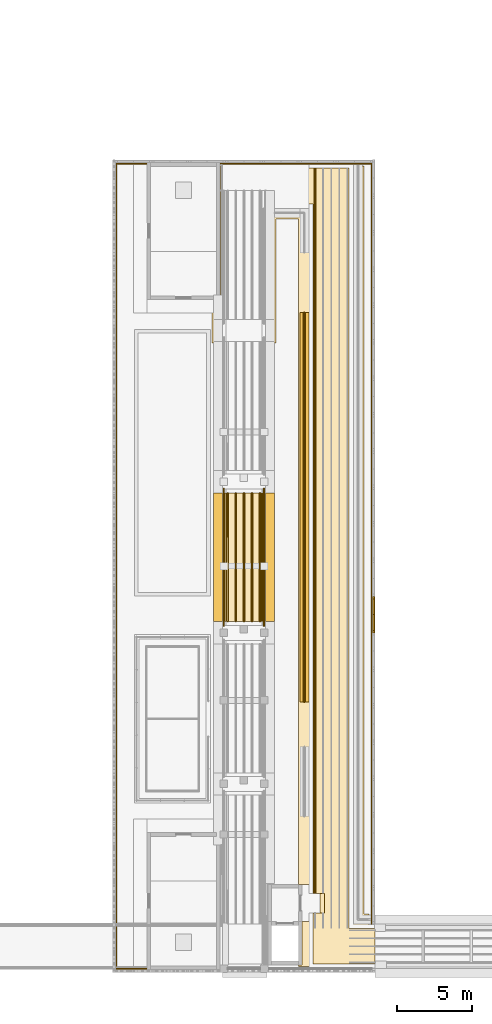
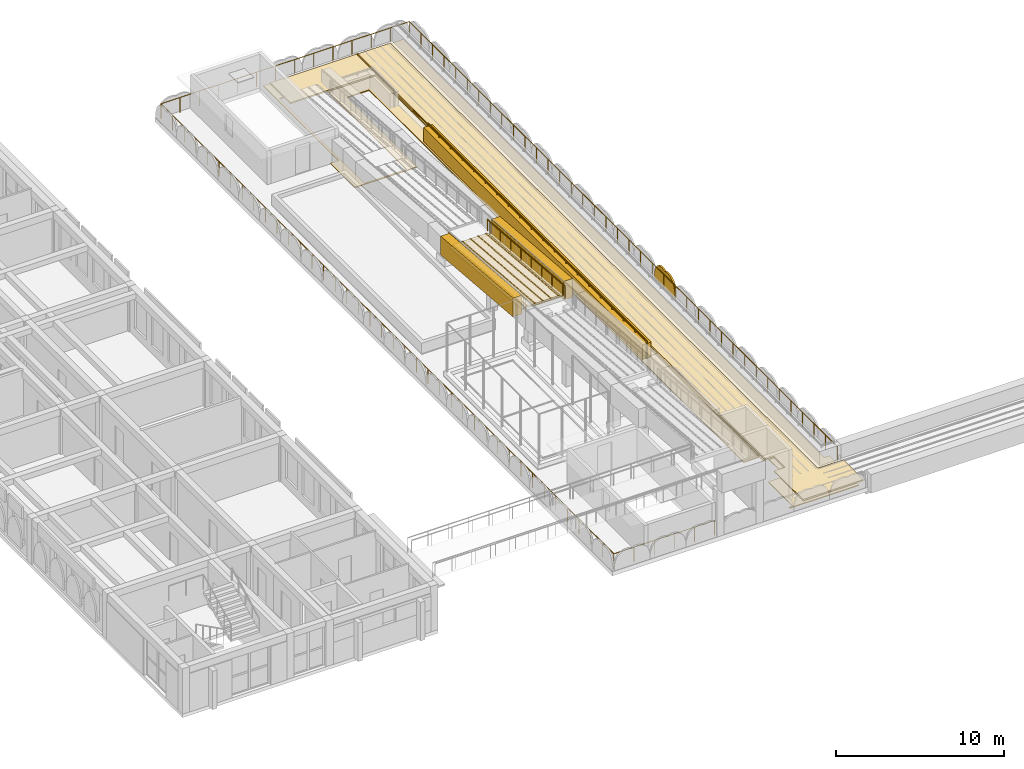
# One storey, part 47 of 50: 13 coverings, 4 railings, 1 shading device.
"""IFC4 building model written with IfcOpenShell, lengths in metres."""

import ifcopenshell
import ifcopenshell.guid

model = None  # the IFC model being written
_history = None  # IfcOwnerHistory: only IFC2X3 demands one
_inside = {}  # id of a spatial element -> (the spatial element, [elements in it])
_under = {}  # id of a project, library or spatial element -> (it, [spatial elements below it])
_declared = {}  # id of a project -> (the project, [libraries it declares])
_typed = {}  # id of a type object -> (the type object, [elements of that type])
_made_of = {}  # id of a material, layer set ... -> (it, [elements and type objects made of it])


def new_model(schema):
    """Start an empty IFC model of exactly this schema.

    Asked for "IFC4X3", IfcOpenShell would pick the latest addendum, in which some entities
    have other attributes; the version numbers below select the first issue.
    IFC2X3 requires an IfcOwnerHistory on every rooted entity: one is made here for all.
    """
    global model, _history
    if schema == "IFC4X3":
        model = ifcopenshell.file(schema_version=(4, 3, 0, 0))
    else:
        model = ifcopenshell.file(schema=schema)
    _inside.clear()
    _under.clear()
    _declared.clear()
    _typed.clear()
    _made_of.clear()
    _history = None
    if model.schema == "IFC2X3":
        org = make("IfcOrganization", Name="unknown")
        user = make(
            "IfcPersonAndOrganization",
            ThePerson=make("IfcPerson", FamilyName="unknown"),
            TheOrganization=org,
        )
        app = make(
            "IfcApplication",
            ApplicationDeveloper=org,
            Version="unknown",
            ApplicationFullName="unknown",
            ApplicationIdentifier="unknown",
        )
        _history = make(
            "IfcOwnerHistory",
            OwningUser=user,
            OwningApplication=app,
            ChangeAction="ADDED",
            CreationDate=0,
        )
    return model


def make(cls, **values):
    """One entity of the class cls with the attributes given. An attribute that is None is left unset."""
    return model.create_entity(
        cls, **{name: value for name, value in values.items() if value is not None}
    )


def rooted(cls, **values):
    """An entity with a GlobalId (a new one), such as an element, a storey or a relation."""
    return make(cls, GlobalId=ifcopenshell.guid.new(), OwnerHistory=_history, **values)


def si_unit(unit_type, name, prefix=None):
    """IfcSIUnit, for example si_unit("LENGTHUNIT", "METRE", prefix="MILLI")."""
    return make("IfcSIUnit", UnitType=unit_type, Prefix=prefix, Name=name)


def assignment(units):
    """IfcUnitAssignment: the units of a project."""
    return None if units is None else make("IfcUnitAssignment", Units=units)


def point(xyz):
    """IfcCartesianPoint."""
    return None if xyz is None else make("IfcCartesianPoint", Coordinates=xyz)


def direction(xyz):
    """IfcDirection."""
    return None if xyz is None else make("IfcDirection", DirectionRatios=xyz)


def frame(location, z_axis=None, x_axis=None):
    """IfcAxis2Placement3D, a coordinate frame: its origin and axes. An axis left out is left unset."""
    return make(
        "IfcAxis2Placement3D",
        Location=point(location),
        Axis=direction(z_axis),
        RefDirection=direction(x_axis),
    )


def frame_2d(location, x_axis=None):
    """IfcAxis2Placement2D, a coordinate frame in the plane: its origin and x axis."""
    return make(
        "IfcAxis2Placement2D", Location=point(location), RefDirection=direction(x_axis)
    )


def origin():
    """The frame at (0, 0, 0) with its axes left unset."""
    return frame((0.0, 0.0, 0.0))


def origin_2d():
    """The frame at (0, 0) in the plane with its x axis left unset."""
    return frame_2d((0.0, 0.0))


def place(relative_to, where):
    """IfcLocalPlacement: puts the frame where relative to a parent placement (None: the world)."""
    return make(
        "IfcLocalPlacement", PlacementRelTo=relative_to, RelativePlacement=where
    )


def context(
    kind, dimensions, precision=None, world=None, true_north=None, identifier=None
):
    """IfcGeometricRepresentationContext, for example the 3D "Model" context."""
    return make(
        "IfcGeometricRepresentationContext",
        ContextIdentifier=identifier,
        ContextType=kind,
        CoordinateSpaceDimension=dimensions,
        Precision=precision,
        WorldCoordinateSystem=world,
        TrueNorth=true_north,
    )


def subcontext(parent, identifier, kind, view, scale=None):
    """IfcGeometricRepresentationSubContext, for example "Body" below "Model"."""
    return make(
        "IfcGeometricRepresentationSubContext",
        ContextIdentifier=identifier,
        ContextType=kind,
        ParentContext=parent,
        TargetScale=scale,
        TargetView=view,
    )


def project(units=None, contexts=None):
    """IfcProject with its units and contexts."""
    return rooted(
        "IfcProject",
        Name="project",
        RepresentationContexts=contexts,
        UnitsInContext=assignment(units),
    )


def spatial(cls, under=None, at=None, **own):
    """A site, building, storey or space (cls), placed at a placement, below another one or the project."""
    s = rooted(cls, ObjectPlacement=at, **own)
    if under is not None:
        _under.setdefault(under.id(), (under, []))[1].append(s)
    return s


def polyline(points):
    """IfcPolyline through the points."""
    return make("IfcPolyline", Points=[point(p) for p in points])


def profile(cls, at=None, kind="AREA", **sizes):
    """A parametric profile (cls). Its sizes go by their IFC names, for example OverallWidth=200.0."""
    return make(cls, ProfileType=kind, Position=at, **sizes)


def circle(**sizes):
    """IfcCircleProfileDef."""
    return profile("IfcCircleProfileDef", **sizes)


def outline(outer, holes=None, kind="AREA"):
    """IfcArbitraryClosedProfileDef: a profile drawn as a closed curve; with holes, ...WithVoids."""
    if holes is None:
        return make("IfcArbitraryClosedProfileDef", ProfileType=kind, OuterCurve=outer)
    return make(
        "IfcArbitraryProfileDefWithVoids",
        ProfileType=kind,
        OuterCurve=outer,
        InnerCurves=holes,
    )


def extrude(swept, where, along, depth):
    """IfcExtrudedAreaSolid: the profile swept, set in the frame where, extruded along a direction by depth."""
    return make(
        "IfcExtrudedAreaSolid",
        SweptArea=swept,
        Position=where,
        ExtrudedDirection=direction(along),
        Depth=depth,
    )


def shape(context_of_items, identifier, shape_type, items):
    """IfcShapeRepresentation: the items that make up one representation, for example the "Body"."""
    return make(
        "IfcShapeRepresentation",
        ContextOfItems=context_of_items,
        RepresentationIdentifier=identifier,
        RepresentationType=shape_type,
        Items=items,
    )


def material(Name=None, Category=None):
    """IfcMaterial."""
    return make("IfcMaterial", Name=Name, Category=Category)


def layer(
    of_material, thickness, ventilated=None, Name=None, Category=None, Priority=None
):
    """IfcMaterialLayer: one layer of a wall or slab, of a material (None: an air gap)."""
    return make(
        "IfcMaterialLayer",
        Material=of_material,
        LayerThickness=thickness,
        IsVentilated=ventilated,
        Name=Name,
        Category=Category,
        Priority=Priority,
    )


def layer_set(layers, Name=None):
    """IfcMaterialLayerSet."""
    return make("IfcMaterialLayerSet", MaterialLayers=layers, LayerSetName=Name)


def made_of(thing, what):
    """Note that an element or type object is made of a material, layer set ...; save() writes the relation."""
    if what is not None:
        _made_of.setdefault(what.id(), (what, []))[1].append(thing)
    return thing


def type_object(cls, material=None, **own):
    """A type object (cls), such as IfcWallType, which elements share."""
    return made_of(rooted(cls, **own), material)


def element(
    cls,
    number,
    at=None,
    inside=None,
    cuts=None,
    type_object=None,
    material=None,
    context=None,
    identifier="Body",
    shape_type=None,
    held_by="IfcProductDefinitionShape",
    body=None,
    shapes=None,
    **own,
):
    """One element of the class cls, such as IfcWall. Its Tag is "e" and its number.

    at: its placement. inside: the storey or other place that contains it. cuts: it is an
    opening in that element (IfcRelVoidsElement). A single representation is given by context,
    identifier, shape_type and body (its items); several are given by shapes. held_by: the class
    of the entity that holds the representations. save() writes the other relations.
    """
    e = rooted(cls, Tag="e%d" % number, ObjectPlacement=at, **own)
    if body is not None:
        shapes = [shape(context, identifier, shape_type, body)]
    if shapes is not None:
        e.Representation = make(held_by, Representations=shapes)
    if inside is not None:
        _inside.setdefault(inside.id(), (inside, []))[1].append(e)
    if cuts is not None:
        rooted(
            "IfcRelVoidsElement", RelatingBuildingElement=cuts, RelatedOpeningElement=e
        )
    if type_object is not None:
        _typed.setdefault(type_object.id(), (type_object, []))[1].append(e)
    return made_of(e, material)


def aggregate(whole, parts):
    """IfcRelAggregates: a whole, such as a stair, and the parts it consists of."""
    return rooted("IfcRelAggregates", RelatingObject=whole, RelatedObjects=parts)


def save(model, path):
    """Write the relations noted so far, then the file.

    IfcRelAggregates (storeys below a building ...), IfcRelContainedInSpatialStructure (elements
    in a storey), IfcRelDefinesByType, IfcRelAssociatesMaterial and IfcRelDeclares: one each for
    every whole, place, type object, material and project.
    """
    for whole, parts in _under.values():
        aggregate(whole, parts)
    for where, things in _inside.values():
        rooted(
            "IfcRelContainedInSpatialStructure",
            RelatedElements=things,
            RelatingStructure=where,
        )
    for kind, things in _typed.values():
        rooted("IfcRelDefinesByType", RelatedObjects=things, RelatingType=kind)
    for what, things in _made_of.values():
        rooted("IfcRelAssociatesMaterial", RelatedObjects=things, RelatingMaterial=what)
    for by, libraries in _declared.values():
        rooted("IfcRelDeclares", RelatingContext=by, RelatedDefinitions=libraries)
    model.write(path)


model = new_model("IFC4")

# Units and contexts
model_context = context("Model", 3, precision=1e-05, world=origin(), true_north=direction((0.0, 1.0)))
body_context = subcontext(model_context, "Body", "Model", "MODEL_VIEW")
ifc_project = project(units=[si_unit("LENGTHUNIT", "METRE"), si_unit("AREAUNIT", "SQUARE_METRE"), si_unit("VOLUMEUNIT", "CUBIC_METRE"), si_unit("PLANEANGLEUNIT", "RADIAN"), si_unit("MASSUNIT", "GRAM", prefix="KILO")], contexts=[model_context])

# Site, building, storey
site_placement = place(None, origin())
site = spatial("IfcSite", under=ifc_project, at=site_placement, CompositionType="ELEMENT")
building_placement = place(site_placement, origin())
building = spatial("IfcBuilding", under=site, at=building_placement, Name="Elbe Cascade School", CompositionType="ELEMENT")
storey_placement = place(building_placement, frame((0.0, 0.0, 15.300048828125)))
storey = spatial("IfcBuildingStorey", under=building, at=storey_placement, Name="L04", CompositionType="ELEMENT", Elevation=15.300048828125)

# Shading device
ifc_material_1 = material(Name="Precast concrete C40/50", Category="concrete")
ifc_layer_1 = layer(ifc_material_1, 0.1201171875)
ifc_layer_set_1 = layer_set([ifc_layer_1], Name="Precast concrete C40/50")
shading_device_type = type_object("IfcShadingDeviceType", Name="Bars envelope Attic jali screen, pointed arch top, pierced precast concrete, 1200 high", PredefinedType="USERDEFINED", material=ifc_layer_set_1)
shading_device_placement = place(storey_placement, frame((115.919921875, 28.523681640625, 0.0), z_axis=(1.0, 0.0, 0.0), x_axis=(0.0, 1.0, 0.0)))
element("IfcShadingDevice", 1, at=shading_device_placement, inside=storey, type_object=shading_device_type, Name="Attic jali screen SD1 B.L04.e10", ObjectType="JALI", PredefinedType="USERDEFINED", context=body_context, shape_type="SweptSolid", body=[
    extrude(outline(polyline([(0.0, 0.0), (2.440673828125, 0.0), (2.440673828125, 0.39990234375), (2.2880859375, 0.892822265625), (2.135498046875, 1.062744140625), (1.98291015625, 1.16748046875), (1.83056640625, 1.23193359375), (1.677978515625, 1.265380859375), (1.525390625, 1.271240234375), (1.372802734375, 1.250244140625), (1.22021484375, 1.199951171875), (1.06787109375, 1.250244140625), (0.915283203125, 1.271240234375), (0.762939453125, 1.265380859375), (0.610107421875, 1.23193359375), (0.457763671875, 1.16748046875), (0.30517578125, 1.062744140625), (0.152587890625, 0.892822265625), (0.0, 0.39990234375), (0.0, 0.0)])), origin(), (0.0, 0.0, -1.0), 0.1201171875),
])

# Covering
ifc_material_2 = material(Name="Bituminous waterproofing membrane", Category="membrane")
ifc_layer_2 = layer(ifc_material_2, 0.06005859375)
ifc_layer_set_2 = layer_set([ifc_layer_2], Name="Bituminous waterproofing membrane")
covering_type_1 = type_object("IfcCoveringType", Name="Bars envelope Roof covering, bituminous waterproofing membrane", PredefinedType="ROOFING", material=ifc_layer_set_2)
covering_1_placement = place(storey_placement, origin())
element("IfcCovering", 2, at=covering_1_placement, inside=storey, type_object=covering_type_1, Name="Roof covering CV49 B.L04.3", PredefinedType="ROOFING", context=body_context, shape_type="SweptSolid", body=[
    extrude(outline(polyline([(105.550048828125, 50.875), (105.550048828125, 59.85009765625), (115.199951171875, 59.85009765625), (115.199951171875, 9.669921875), (115.550048828125, 9.669921875), (115.550048828125, 6.14990234375), (110.800048828125, 6.14990234375), (110.800048828125, 6.25), (111.050048828125, 6.25), (111.050048828125, 9.14990234375), (112.25, 9.14990234375), (112.25, 11.64990234375), (110.800048828125, 11.64990234375), (110.800048828125, 56.300048828125), (109.300048828125, 56.300048828125), (109.300048828125, 47.9599609375), (105.0, 47.9599609375), (105.0, 50.875), (105.550048828125, 50.875)]), holes=[polyline([(105.699951171875, 48.06005859375), (108.60009765625, 48.06005859375), (108.60009765625, 58.199951171875), (105.699951171875, 58.199951171875), (105.699951171875, 48.06005859375)])]), origin(), (0.0, 0.0, 1.0), 0.06005859375),
])

# Railing
ifc_material_3 = material(Name="Steel S355J2H, hot-dip galvanised", Category="steel")
railing_type_1 = type_object("IfcRailingType", Name="Bars envelope Roof edge guard 1100, galvanised steel", PredefinedType="GUARDRAIL", material=ifc_material_3)
railing_1_placement = place(storey_placement, frame((115.699951171875, 9.0, 0.0)))
element("IfcRailing", 3, at=railing_1_placement, inside=storey, type_object=railing_type_1, Name="Roof edge guard RL10 B.L04.3", PredefinedType="GUARDRAIL", context=body_context, shape_type="SweptSolid", body=[
    extrude(circle(Radius=0.02392578125, at=origin_2d()), frame((0.0, 0.0, 1.076171875), z_axis=(0.0, 1.0, 0.0), x_axis=(-1.0, 0.0, 0.0)), (0.0, 0.0, 1.0), 51.0),
    extrude(circle(Radius=0.02392578125, at=origin_2d()), frame((0.0, 51.0, 1.076171875), z_axis=(-1.0, 0.0, 0.0), x_axis=(0.0, -1.0, 0.0)), (0.0, 0.0, 1.0), 17.099853515625),
    extrude(circle(Radius=0.02392578125, at=origin_2d()), frame((-17.099853515625, 51.0, 1.076171875), z_axis=(0.0, -1.0, 0.0), x_axis=(1.0, 0.0, 0.0)), (0.0, 0.0, 1.0), 54.0),
    extrude(circle(Radius=0.02392578125, at=origin_2d()), frame((-17.099853515625, -3.0, 1.076171875), z_axis=(1.0, 0.0, 0.0), x_axis=(0.0, 1.0, 0.0)), (0.0, 0.0, 1.0), 6.928955078125),
    extrude(circle(Radius=0.02099609375, at=origin_2d()), origin(), (0.0, 0.0, 1.0), 1.052001953125),
    extrude(circle(Radius=0.02099609375, at=origin_2d()), frame((0.0, 1.37841796875, 0.0)), (0.0, 0.0, 1.0), 1.052001953125),
    extrude(circle(Radius=0.02099609375, at=origin_2d()), frame((0.0, 2.7568359375, 0.0)), (0.0, 0.0, 1.0), 1.052001953125),
    extrude(circle(Radius=0.02099609375, at=origin_2d()), frame((0.0, 4.13525390625, 0.0)), (0.0, 0.0, 1.0), 1.052001953125),
    extrude(circle(Radius=0.02099609375, at=origin_2d()), frame((0.0, 5.513427734375, 0.0)), (0.0, 0.0, 1.0), 1.052001953125),
    extrude(circle(Radius=0.02099609375, at=origin_2d()), frame((0.0, 6.891845703125, 0.0)), (0.0, 0.0, 1.0), 1.052001953125),
    extrude(circle(Radius=0.02099609375, at=origin_2d()), frame((0.0, 8.270263671875, 0.0)), (0.0, 0.0, 1.0), 1.052001953125),
    extrude(circle(Radius=0.02099609375, at=origin_2d()), frame((0.0, 9.648681640625, 0.0)), (0.0, 0.0, 1.0), 1.052001953125),
    extrude(circle(Radius=0.02099609375, at=origin_2d()), frame((0.0, 11.027099609375, 0.0)), (0.0, 0.0, 1.0), 1.052001953125),
    extrude(circle(Radius=0.02099609375, at=origin_2d()), frame((0.0, 12.405517578125, 0.0)), (0.0, 0.0, 1.0), 1.052001953125),
    extrude(circle(Radius=0.02099609375, at=origin_2d()), frame((0.0, 13.78369140625, 0.0)), (0.0, 0.0, 1.0), 1.052001953125),
    extrude(circle(Radius=0.02099609375, at=origin_2d()), frame((0.0, 15.162109375, 0.0)), (0.0, 0.0, 1.0), 1.052001953125),
    extrude(circle(Radius=0.02099609375, at=origin_2d()), frame((0.0, 16.54052734375, 0.0)), (0.0, 0.0, 1.0), 1.052001953125),
    extrude(circle(Radius=0.02099609375, at=origin_2d()), frame((0.0, 17.9189453125, 0.0)), (0.0, 0.0, 1.0), 1.052001953125),
    extrude(circle(Radius=0.02099609375, at=origin_2d()), frame((0.0, 19.29736328125, 0.0)), (0.0, 0.0, 1.0), 1.052001953125),
    extrude(circle(Radius=0.02099609375, at=origin_2d()), frame((0.0, 20.67578125, 0.0)), (0.0, 0.0, 1.0), 1.052001953125),
    extrude(circle(Radius=0.02099609375, at=origin_2d()), frame((0.0, 22.053955078125, 0.0)), (0.0, 0.0, 1.0), 1.052001953125),
    extrude(circle(Radius=0.02099609375, at=origin_2d()), frame((0.0, 23.432373046875, 0.0)), (0.0, 0.0, 1.0), 1.052001953125),
    extrude(circle(Radius=0.02099609375, at=origin_2d()), frame((0.0, 24.810791015625, 0.0)), (0.0, 0.0, 1.0), 1.052001953125),
    extrude(circle(Radius=0.02099609375, at=origin_2d()), frame((0.0, 26.189208984375, 0.0)), (0.0, 0.0, 1.0), 1.052001953125),
    extrude(circle(Radius=0.02099609375, at=origin_2d()), frame((0.0, 27.567626953125, 0.0)), (0.0, 0.0, 1.0), 1.052001953125),
    extrude(circle(Radius=0.02099609375, at=origin_2d()), frame((0.0, 28.946044921875, 0.0)), (0.0, 0.0, 1.0), 1.052001953125),
    extrude(circle(Radius=0.02099609375, at=origin_2d()), frame((0.0, 30.32421875, 0.0)), (0.0, 0.0, 1.0), 1.052001953125),
    extrude(circle(Radius=0.02099609375, at=origin_2d()), frame((0.0, 31.70263671875, 0.0)), (0.0, 0.0, 1.0), 1.052001953125),
    extrude(circle(Radius=0.02099609375, at=origin_2d()), frame((0.0, 33.0810546875, 0.0)), (0.0, 0.0, 1.0), 1.052001953125),
    extrude(circle(Radius=0.02099609375, at=origin_2d()), frame((0.0, 34.45947265625, 0.0)), (0.0, 0.0, 1.0), 1.052001953125),
    extrude(circle(Radius=0.02099609375, at=origin_2d()), frame((0.0, 35.837890625, 0.0)), (0.0, 0.0, 1.0), 1.052001953125),
    extrude(circle(Radius=0.02099609375, at=origin_2d()), frame((0.0, 37.21630859375, 0.0)), (0.0, 0.0, 1.0), 1.052001953125),
    extrude(circle(Radius=0.02099609375, at=origin_2d()), frame((0.0, 38.594482421875, 0.0)), (0.0, 0.0, 1.0), 1.052001953125),
    extrude(circle(Radius=0.02099609375, at=origin_2d()), frame((0.0, 39.972900390625, 0.0)), (0.0, 0.0, 1.0), 1.052001953125),
    extrude(circle(Radius=0.02099609375, at=origin_2d()), frame((0.0, 41.351318359375, 0.0)), (0.0, 0.0, 1.0), 1.052001953125),
    extrude(circle(Radius=0.02099609375, at=origin_2d()), frame((0.0, 42.729736328125, 0.0)), (0.0, 0.0, 1.0), 1.052001953125),
    extrude(circle(Radius=0.02099609375, at=origin_2d()), frame((0.0, 44.108154296875, 0.0)), (0.0, 0.0, 1.0), 1.052001953125),
    extrude(circle(Radius=0.02099609375, at=origin_2d()), frame((0.0, 45.486572265625, 0.0)), (0.0, 0.0, 1.0), 1.052001953125),
    extrude(circle(Radius=0.02099609375, at=origin_2d()), frame((0.0, 46.86474609375, 0.0)), (0.0, 0.0, 1.0), 1.052001953125),
    extrude(circle(Radius=0.02099609375, at=origin_2d()), frame((0.0, 48.2431640625, 0.0)), (0.0, 0.0, 1.0), 1.052001953125),
    extrude(circle(Radius=0.02099609375, at=origin_2d()), frame((0.0, 49.62158203125, 0.0)), (0.0, 0.0, 1.0), 1.052001953125),
    extrude(circle(Radius=0.02099609375, at=origin_2d()), frame((0.0, 51.0, 0.0)), (0.0, 0.0, 1.0), 1.052001953125),
    extrude(circle(Radius=0.02099609375, at=origin_2d()), frame((-1.3154296875, 51.0, 0.0)), (0.0, 0.0, 1.0), 1.052001953125),
    extrude(circle(Radius=0.02099609375, at=origin_2d()), frame((-2.630859375, 51.0, 0.0)), (0.0, 0.0, 1.0), 1.052001953125),
    extrude(circle(Radius=0.02099609375, at=origin_2d()), frame((-3.946044921875, 51.0, 0.0)), (0.0, 0.0, 1.0), 1.052001953125),
    extrude(circle(Radius=0.02099609375, at=origin_2d()), frame((-5.261474609375, 51.0, 0.0)), (0.0, 0.0, 1.0), 1.052001953125),
    extrude(circle(Radius=0.02099609375, at=origin_2d()), frame((-6.576904296875, 51.0, 0.0)), (0.0, 0.0, 1.0), 1.052001953125),
    extrude(circle(Radius=0.02099609375, at=origin_2d()), frame((-7.892333984375, 51.0, 0.0)), (0.0, 0.0, 1.0), 1.052001953125),
    extrude(circle(Radius=0.02099609375, at=origin_2d()), frame((-9.20751953125, 51.0, 0.0)), (0.0, 0.0, 1.0), 1.052001953125),
    extrude(circle(Radius=0.02099609375, at=origin_2d()), frame((-10.52294921875, 51.0, 0.0)), (0.0, 0.0, 1.0), 1.052001953125),
    extrude(circle(Radius=0.02099609375, at=origin_2d()), frame((-11.83837890625, 51.0, 0.0)), (0.0, 0.0, 1.0), 1.052001953125),
    extrude(circle(Radius=0.02099609375, at=origin_2d()), frame((-13.15380859375, 51.0, 0.0)), (0.0, 0.0, 1.0), 1.052001953125),
    extrude(circle(Radius=0.02099609375, at=origin_2d()), frame((-14.468994140625, 51.0, 0.0)), (0.0, 0.0, 1.0), 1.052001953125),
    extrude(circle(Radius=0.02099609375, at=origin_2d()), frame((-15.784423828125, 51.0, 0.0)), (0.0, 0.0, 1.0), 1.052001953125),
    extrude(circle(Radius=0.02099609375, at=origin_2d()), frame((-17.099853515625, 51.0, 0.0)), (0.0, 0.0, 1.0), 1.052001953125),
    extrude(circle(Radius=0.02099609375, at=origin_2d()), frame((-17.099853515625, 49.615478515625, 0.0)), (0.0, 0.0, 1.0), 1.052001953125),
    extrude(circle(Radius=0.02099609375, at=origin_2d()), frame((-17.099853515625, 48.230712890625, 0.0)), (0.0, 0.0, 1.0), 1.052001953125),
    extrude(circle(Radius=0.02099609375, at=origin_2d()), frame((-17.099853515625, 46.84619140625, 0.0)), (0.0, 0.0, 1.0), 1.052001953125),
    extrude(circle(Radius=0.02099609375, at=origin_2d()), frame((-17.099853515625, 45.46142578125, 0.0)), (0.0, 0.0, 1.0), 1.052001953125),
    extrude(circle(Radius=0.02099609375, at=origin_2d()), frame((-17.099853515625, 44.076904296875, 0.0)), (0.0, 0.0, 1.0), 1.052001953125),
    extrude(circle(Radius=0.02099609375, at=origin_2d()), frame((-17.099853515625, 42.6923828125, 0.0)), (0.0, 0.0, 1.0), 1.052001953125),
    extrude(circle(Radius=0.02099609375, at=origin_2d()), frame((-17.099853515625, 41.3076171875, 0.0)), (0.0, 0.0, 1.0), 1.052001953125),
    extrude(circle(Radius=0.02099609375, at=origin_2d()), frame((-17.099853515625, 39.923095703125, 0.0)), (0.0, 0.0, 1.0), 1.052001953125),
    extrude(circle(Radius=0.02099609375, at=origin_2d()), frame((-17.099853515625, 38.53857421875, 0.0)), (0.0, 0.0, 1.0), 1.052001953125),
    extrude(circle(Radius=0.02099609375, at=origin_2d()), frame((-17.099853515625, 37.15380859375, 0.0)), (0.0, 0.0, 1.0), 1.052001953125),
    extrude(circle(Radius=0.02099609375, at=origin_2d()), frame((-17.099853515625, 35.769287109375, 0.0)), (0.0, 0.0, 1.0), 1.052001953125),
    extrude(circle(Radius=0.02099609375, at=origin_2d()), frame((-17.099853515625, 34.384521484375, 0.0)), (0.0, 0.0, 1.0), 1.052001953125),
    extrude(circle(Radius=0.02099609375, at=origin_2d()), frame((-17.099853515625, 33.0, 0.0)), (0.0, 0.0, 1.0), 1.052001953125),
    extrude(circle(Radius=0.02099609375, at=origin_2d()), frame((-17.099853515625, 31.615478515625, 0.0)), (0.0, 0.0, 1.0), 1.052001953125),
    extrude(circle(Radius=0.02099609375, at=origin_2d()), frame((-17.099853515625, 30.230712890625, 0.0)), (0.0, 0.0, 1.0), 1.052001953125),
    extrude(circle(Radius=0.02099609375, at=origin_2d()), frame((-17.099853515625, 28.84619140625, 0.0)), (0.0, 0.0, 1.0), 1.052001953125),
    extrude(circle(Radius=0.02099609375, at=origin_2d()), frame((-17.099853515625, 27.46142578125, 0.0)), (0.0, 0.0, 1.0), 1.052001953125),
    extrude(circle(Radius=0.02099609375, at=origin_2d()), frame((-17.099853515625, 26.076904296875, 0.0)), (0.0, 0.0, 1.0), 1.052001953125),
    extrude(circle(Radius=0.02099609375, at=origin_2d()), frame((-17.099853515625, 24.6923828125, 0.0)), (0.0, 0.0, 1.0), 1.052001953125),
    extrude(circle(Radius=0.02099609375, at=origin_2d()), frame((-17.099853515625, 23.3076171875, 0.0)), (0.0, 0.0, 1.0), 1.052001953125),
    extrude(circle(Radius=0.02099609375, at=origin_2d()), frame((-17.099853515625, 21.923095703125, 0.0)), (0.0, 0.0, 1.0), 1.052001953125),
    extrude(circle(Radius=0.02099609375, at=origin_2d()), frame((-17.099853515625, 20.53857421875, 0.0)), (0.0, 0.0, 1.0), 1.052001953125),
    extrude(circle(Radius=0.02099609375, at=origin_2d()), frame((-17.099853515625, 19.15380859375, 0.0)), (0.0, 0.0, 1.0), 1.052001953125),
    extrude(circle(Radius=0.02099609375, at=origin_2d()), frame((-17.099853515625, 17.769287109375, 0.0)), (0.0, 0.0, 1.0), 1.052001953125),
    extrude(circle(Radius=0.02099609375, at=origin_2d()), frame((-17.099853515625, 16.384521484375, 0.0)), (0.0, 0.0, 1.0), 1.052001953125),
    extrude(circle(Radius=0.02099609375, at=origin_2d()), frame((-17.099853515625, 15.0, 0.0)), (0.0, 0.0, 1.0), 1.052001953125),
    extrude(circle(Radius=0.02099609375, at=origin_2d()), frame((-17.099853515625, 13.615478515625, 0.0)), (0.0, 0.0, 1.0), 1.052001953125),
    extrude(circle(Radius=0.02099609375, at=origin_2d()), frame((-17.099853515625, 12.230712890625, 0.0)), (0.0, 0.0, 1.0), 1.052001953125),
    extrude(circle(Radius=0.02099609375, at=origin_2d()), frame((-17.099853515625, 10.84619140625, 0.0)), (0.0, 0.0, 1.0), 1.052001953125),
    extrude(circle(Radius=0.02099609375, at=origin_2d()), frame((-17.099853515625, 9.46142578125, 0.0)), (0.0, 0.0, 1.0), 1.052001953125),
    extrude(circle(Radius=0.02099609375, at=origin_2d()), frame((-17.099853515625, 8.076904296875, 0.0)), (0.0, 0.0, 1.0), 1.052001953125),
    extrude(circle(Radius=0.02099609375, at=origin_2d()), frame((-17.099853515625, 6.6923828125, 0.0)), (0.0, 0.0, 1.0), 1.052001953125),
    extrude(circle(Radius=0.02099609375, at=origin_2d()), frame((-17.099853515625, 5.3076171875, 0.0)), (0.0, 0.0, 1.0), 1.052001953125),
    extrude(circle(Radius=0.02099609375, at=origin_2d()), frame((-17.099853515625, 3.923095703125, 0.0)), (0.0, 0.0, 1.0), 1.052001953125),
    extrude(circle(Radius=0.02099609375, at=origin_2d()), frame((-17.099853515625, 2.53857421875, 0.0)), (0.0, 0.0, 1.0), 1.052001953125),
    extrude(circle(Radius=0.02099609375, at=origin_2d()), frame((-17.099853515625, 1.15380859375, 0.0)), (0.0, 0.0, 1.0), 1.052001953125),
    extrude(circle(Radius=0.02099609375, at=origin_2d()), frame((-17.099853515625, -0.230712890625, 0.0)), (0.0, 0.0, 1.0), 1.052001953125),
    extrude(circle(Radius=0.02099609375, at=origin_2d()), frame((-17.099853515625, -1.615478515625, 0.0)), (0.0, 0.0, 1.0), 1.052001953125),
    extrude(circle(Radius=0.02099609375, at=origin_2d()), frame((-17.099853515625, -3.0, 0.0)), (0.0, 0.0, 1.0), 1.052001953125),
    extrude(circle(Radius=0.02099609375, at=origin_2d()), frame((-15.714111328125, -3.0, 0.0)), (0.0, 0.0, 1.0), 1.052001953125),
    extrude(circle(Radius=0.02099609375, at=origin_2d()), frame((-14.328369140625, -3.0, 0.0)), (0.0, 0.0, 1.0), 1.052001953125),
    extrude(circle(Radius=0.02099609375, at=origin_2d()), frame((-12.9423828125, -3.0, 0.0)), (0.0, 0.0, 1.0), 1.052001953125),
    extrude(circle(Radius=0.02099609375, at=origin_2d()), frame((-11.556640625, -3.0, 0.0)), (0.0, 0.0, 1.0), 1.052001953125),
    extrude(circle(Radius=0.02099609375, at=origin_2d()), frame((-10.1708984375, -3.0, 0.0)), (0.0, 0.0, 1.0), 1.052001953125),
])

# Coverings
ifc_material_4 = material(Name="Running track surfacing - white lines", Category="surfacing")
ifc_layer_3 = layer(ifc_material_4, 0.02001953125)
ifc_layer_set_3 = layer_set([ifc_layer_3], Name="Running track surfacing - white lines")
covering_type_2 = type_object("IfcCoveringType", Name="Lane marking 80", PredefinedType="FLOORING", material=ifc_layer_set_3)
covering_2_placement = place(storey_placement, frame((0.0, 0.0, 0.219970703125)))
element("IfcCovering", 4, at=covering_2_placement, inside=storey, type_object=covering_type_2, Name="Lane marking B roof strip 1", PredefinedType="FLOORING", context=body_context, shape_type="SweptSolid", body=[
    extrude(outline(polyline([(111.8798828125, 59.699951171875), (111.9599609375, 59.699951171875), (111.9599609375, 11.050048828125), (111.8798828125, 11.050048828125), (111.8798828125, 59.699951171875)])), origin(), (0.0, 0.0, 1.0), 0.02001953125),
])
covering_3_placement = place(storey_placement, frame((106.030029296875, 29.280029296875, 2.39990234375), z_axis=(0.0, 0.08304314939, 0.996545952447), x_axis=(0.0, 0.996545952447, -0.08304314939)))
element("IfcCovering", 5, at=covering_3_placement, inside=storey, type_object=covering_type_2, Name="Lane marking B ramp flight 3 line 1", PredefinedType="FLOORING", context=body_context, shape_type="SweptSolid", body=[
    extrude(outline(polyline([(0.0, 0.0), (8.669838612967244, 0.0), (8.669838612967244, -0.08007812500000001), (0.0, -0.08007812500000001), (0.0, 0.0)])), origin(), (0.08304314939, 0.0, -0.996545952447), 0.02001953125),
])
for number, where, z_axis, x_axis, name in (
    (6, (106.570068359375, 29.280029296875, 2.39990234375), (0.0, 0.08304314939, 0.996545952447), (0.0, 0.996545952447, -0.08304314939), "Lane marking B ramp flight 3 line 2"),
    (7, (107.110107421875, 29.280029296875, 2.39990234375), (0.0, 0.08304314939, 0.996545952447), (0.0, 0.996545952447, -0.08304314939), "Lane marking B ramp flight 3 line 3"),
):
    element("IfcCovering", number, at=place(storey_placement, frame(where, z_axis=z_axis, x_axis=x_axis)), inside=storey, type_object=covering_type_2, Name=name, PredefinedType="FLOORING", context=body_context, shape_type="SweptSolid", body=[
        extrude(outline(polyline([(0.0, 0.0), (8.669838612967244, 0.0), (8.669838612967244, -0.079833984375), (0.0, -0.079833984375), (0.0, 0.0)])), origin(), (0.08304314939, 0.0, -0.996545952447), 0.02001953125),
    ])
for number, where, z_axis, x_axis, name in (
    (8, (107.64990234375, 29.280029296875, 2.39990234375), (0.0, 0.08304314939, 0.996545952447), (0.0, 0.996545952447, -0.08304314939), "Lane marking B ramp flight 3 line 4"),
    (9, (108.18994140625, 29.280029296875, 2.39990234375), (0.0, 0.08304314939, 0.996545952447), (0.0, 0.996545952447, -0.08304314939), "Lane marking B ramp flight 3 line 5"),
):
    element("IfcCovering", number, at=place(storey_placement, frame(where, z_axis=z_axis, x_axis=x_axis)), inside=storey, type_object=covering_type_2, Name=name, PredefinedType="FLOORING", context=body_context, shape_type="SweptSolid", body=[
        extrude(outline(polyline([(0.0, 0.0), (8.669838612967244, 0.0), (8.669838612967244, -0.08007812500000001), (0.0, -0.08007812500000001), (0.0, 0.0)])), origin(), (0.08304314939, 0.0, -0.996545952447), 0.02001953125),
    ])
ifc_material_5 = material(Name="Concrete C30/37 precast parapet", Category="concrete")
ifc_layer_4 = layer(ifc_material_5, 0.60009765625)
ifc_layer_set_4 = layer_set([ifc_layer_4], Name="Concrete C30/37 precast parapet")
covering_type_3 = type_object("IfcCoveringType", Name="Ramp and bridge parapet 600", PredefinedType="CLADDING", material=ifc_layer_set_4)
for number, where, z_axis, x_axis, name in (
    (10, (105.10009765625, 29.280029296875, 3.280029296875), (0.0, 0.08304314939, 0.996545952447), (0.0, 0.996545952447, -0.08304314939), "Ramp B flight 3 parapet w1"),
    (11, (108.60009765625, 29.280029296875, 3.280029296875), (0.0, 0.08304314939, 0.996545952447), (0.0, 0.996545952447, -0.08304314939), "Ramp B flight 3 parapet e1"),
):
    element("IfcCovering", number, at=place(storey_placement, frame(where, z_axis=z_axis, x_axis=x_axis)), inside=storey, type_object=covering_type_3, Name=name, PredefinedType="CLADDING", context=body_context, shape_type="SweptSolid", body=[
        extrude(outline(polyline([(0.0, 0.0), (8.669838612967244, 0.0), (8.669838612967244, -0.599853515625), (0.0, -0.599853515625), (0.0, 0.0)])), origin(), (0.08304314939, 0.0, -0.996545952447), 1.360107421875),
    ])
ifc_material_6 = material(Name="Running track surfacing - red", Category="surfacing")
ifc_layer_5 = layer(ifc_material_6, 0.10009765625)
ifc_layer_set_5 = layer_set([ifc_layer_5], Name="Running track surfacing - red")
covering_type_4 = type_object("IfcCoveringType", Name="Running track band 100", PredefinedType="USERDEFINED", material=ifc_layer_set_5)
covering_4_placement = place(storey_placement, frame((0.0, 0.0, 0.119873046875)))
element("IfcCovering", 12, at=covering_4_placement, inside=storey, type_object=covering_type_4, Name="Running track band B roof", ObjectType="RUNNING TRACK", PredefinedType="USERDEFINED", context=body_context, shape_type="SweptSolid", body=[
    extrude(outline(polyline([(114.199951171875, 6.300048828125), (111.800048828125, 6.300048828125), (111.800048828125, 8.699951171875), (111.800048828125, 9.75), (112.550048828125, 9.75), (112.550048828125, 11.050048828125), (111.800048828125, 11.050048828125), (111.800048828125, 57.300048828125), (105.949951171875, 57.300048828125), (105.949951171875, 58.199951171875), (105.949951171875, 59.699951171875), (108.35009765625, 59.699951171875), (111.800048828125, 59.699951171875), (113.0, 59.699951171875), (114.199951171875, 59.699951171875), (114.199951171875, 8.699951171875), (115.949951171875, 8.699951171875), (115.949951171875, 6.300048828125), (114.199951171875, 6.300048828125)])), origin(), (0.0, 0.0, 1.0), 0.10009765625),
])
covering_5_placement = place(storey_placement, frame((105.949951171875, 29.280029296875, 2.3798828125), z_axis=(0.0, 0.08304314939, 0.996545952447), x_axis=(0.0, 0.996545952447, -0.08304314939)))
element("IfcCovering", 13, at=covering_5_placement, inside=storey, type_object=covering_type_4, Name="Running track band B ramp flight 3", ObjectType="RUNNING TRACK", PredefinedType="USERDEFINED", context=body_context, shape_type="SweptSolid", body=[
    extrude(outline(polyline([(0.0, 0.0), (8.669838612967244, 0.0), (8.669838612967244, -2.400146484375), (0.0, -2.400146484375), (0.0, 0.0)])), origin(), (0.08304314939, 0.0, -0.996545952447), 0.10009765625),
])
ifc_material_7 = material(Name="Running track surfacing - red", Category="surfacing")
ifc_layer_6 = layer(ifc_material_7, 0.06005859375)
ifc_layer_set_6 = layer_set([ifc_layer_6], Name="Running track surfacing - red")
covering_type_5 = type_object("IfcCoveringType", Name="Running track surfacing 60", PredefinedType="USERDEFINED", material=ifc_layer_set_6)
covering_6_placement = place(storey_placement, frame((105.699951171875, 29.280029296875, 2.280029296875), z_axis=(0.0, 0.08304314939, 0.996545952447), x_axis=(0.0, 0.996545952447, -0.08304314939)))
element("IfcCovering", 14, at=covering_6_placement, inside=storey, type_object=covering_type_5, Name="Running track B ramp flight 3", ObjectType="RUNNING TRACK", PredefinedType="USERDEFINED", context=body_context, shape_type="SweptSolid", body=[
    extrude(outline(polyline([(0.0, 0.0), (8.669838612967244, 0.0), (8.669838612967244, -2.900146484375), (0.0, -2.900146484375), (0.0, 0.0)])), origin(), (0.08304314939, 0.0, -0.996545952447), 0.06005859375),
])

# Railings
ifc_material_8 = material(Name="Steel S355J2H", Category="steel")
railing_type_2 = type_object("IfcRailingType", Name="Track edge rail 1280", PredefinedType="GUARDRAIL", material=ifc_material_8)
railing_2_placement = place(storey_placement, frame((111.199951171875, 50.0, 0.06005859375)))
element("IfcRailing", 15, at=railing_2_placement, inside=storey, type_object=railing_type_2, Name="Track edge rail RL6 B west 2", PredefinedType="GUARDRAIL", context=body_context, shape_type="SweptSolid", body=[
    extrude(circle(Radius=0.06005859375, at=origin_2d()), frame((0.0, 0.0, 1.219970703125), z_axis=(0.0, -1.0, 0.0), x_axis=(1.0, 0.0, 0.0)), (0.0, 0.0, 1.0), 26.10009765625),
    extrude(circle(Radius=0.0400390625, at=origin_2d()), origin(), (0.0, 0.0, 1.0), 1.159912109375),
    extrude(circle(Radius=0.0400390625, at=origin_2d()), frame((0.0, -1.373779296875, 0.0)), (0.0, 0.0, 1.0), 1.159912109375),
    extrude(circle(Radius=0.0400390625, at=origin_2d()), frame((0.0, -2.747314453125, 0.0)), (0.0, 0.0, 1.0), 1.159912109375),
    extrude(circle(Radius=0.0400390625, at=origin_2d()), frame((0.0, -4.12109375, 0.0)), (0.0, 0.0, 1.0), 1.159912109375),
    extrude(circle(Radius=0.0400390625, at=origin_2d()), frame((0.0, -5.494873046875, 0.0)), (0.0, 0.0, 1.0), 1.159912109375),
    extrude(circle(Radius=0.0400390625, at=origin_2d()), frame((0.0, -6.868408203125, 0.0)), (0.0, 0.0, 1.0), 1.159912109375),
    extrude(circle(Radius=0.0400390625, at=origin_2d()), frame((0.0, -8.2421875, 0.0)), (0.0, 0.0, 1.0), 1.159912109375),
    extrude(circle(Radius=0.0400390625, at=origin_2d()), frame((0.0, -9.61572265625, 0.0)), (0.0, 0.0, 1.0), 1.159912109375),
    extrude(circle(Radius=0.0400390625, at=origin_2d()), frame((0.0, -10.989501953125, 0.0)), (0.0, 0.0, 1.0), 1.159912109375),
    extrude(circle(Radius=0.0400390625, at=origin_2d()), frame((0.0, -12.36328125, 0.0)), (0.0, 0.0, 1.0), 1.159912109375),
    extrude(circle(Radius=0.0400390625, at=origin_2d()), frame((0.0, -13.73681640625, 0.0)), (0.0, 0.0, 1.0), 1.159912109375),
    extrude(circle(Radius=0.0400390625, at=origin_2d()), frame((0.0, -15.110595703125, 0.0)), (0.0, 0.0, 1.0), 1.159912109375),
    extrude(circle(Radius=0.0400390625, at=origin_2d()), frame((0.0, -16.484375, 0.0)), (0.0, 0.0, 1.0), 1.159912109375),
    extrude(circle(Radius=0.0400390625, at=origin_2d()), frame((0.0, -17.85791015625, 0.0)), (0.0, 0.0, 1.0), 1.159912109375),
    extrude(circle(Radius=0.0400390625, at=origin_2d()), frame((0.0, -19.231689453125, 0.0)), (0.0, 0.0, 1.0), 1.159912109375),
    extrude(circle(Radius=0.0400390625, at=origin_2d()), frame((0.0, -20.605224609375, 0.0)), (0.0, 0.0, 1.0), 1.159912109375),
    extrude(circle(Radius=0.0400390625, at=origin_2d()), frame((0.0, -21.97900390625, 0.0)), (0.0, 0.0, 1.0), 1.159912109375),
    extrude(circle(Radius=0.0400390625, at=origin_2d()), frame((0.0, -23.352783203125, 0.0)), (0.0, 0.0, 1.0), 1.159912109375),
    extrude(circle(Radius=0.0400390625, at=origin_2d()), frame((0.0, -24.726318359375, 0.0)), (0.0, 0.0, 1.0), 1.159912109375),
    extrude(circle(Radius=0.0400390625, at=origin_2d()), frame((0.0, -26.10009765625, 0.0)), (0.0, 0.0, 1.0), 1.159912109375),
])
ifc_material_9 = material(Name="Steel S355J2H", Category="steel")
railing_type_3 = type_object("IfcRailingType", Name="Track handrail 900", PredefinedType="HANDRAIL", material=ifc_material_9)
railing_3_placement = place(storey_placement, frame((108.5, 28.97998046875, 2.280029296875)))
element("IfcRailing", 16, at=railing_3_placement, inside=storey, type_object=railing_type_3, Name="Track handrail RL5 A-B south and east flight 3", PredefinedType="HANDRAIL", context=body_context, shape_type="SweptSolid", body=[
    extrude(circle(Radius=0.0400390625, at=origin_2d()), frame((0.0, 0.0, 0.85986328125), z_axis=(0.0, 1.0, 0.0), x_axis=(-1.0, 0.0, 0.0)), (0.0, 0.0, 1.0), 0.300048828125),
    extrude(circle(Radius=0.0400390625, at=origin_2d()), frame((0.0, 0.300048828125, 0.85986328125), z_axis=(0.0, 0.996545952447, -0.08304314939), x_axis=(-1.0, 0.0, 0.0)), (0.0, 0.0, 1.0), 8.669921875),
    extrude(circle(Radius=0.0400390625, at=origin_2d()), frame((0.0, 8.93994140625, 0.139892578125), z_axis=(0.0, 1.0, 0.0), x_axis=(-1.0, 0.0, 0.0)), (0.0, 0.0, 1.0), 0.300048828125),
    extrude(circle(Radius=0.02099609375, at=origin_2d()), origin(), (0.0, 0.0, 1.0), 0.81982421875),
    extrude(circle(Radius=0.02099609375, at=origin_2d()), frame((0.0, 0.300048828125, 0.0)), (0.0, 0.0, 1.0), 0.81982421875),
    extrude(circle(Radius=0.02099609375, at=origin_2d()), frame((0.0, 1.534423828125, -0.102783203125)), (0.0, 0.0, 1.0), 0.81982421875),
    extrude(circle(Radius=0.02099609375, at=origin_2d()), frame((0.0, 2.7685546875, -0.205810546875)), (0.0, 0.0, 1.0), 0.81982421875),
    extrude(circle(Radius=0.02099609375, at=origin_2d()), frame((0.0, 4.0029296875, -0.30859375)), (0.0, 0.0, 1.0), 0.81982421875),
    extrude(circle(Radius=0.02099609375, at=origin_2d()), frame((0.0, 5.237060546875, -0.411376953125)), (0.0, 0.0, 1.0), 0.81982421875),
    extrude(circle(Radius=0.02099609375, at=origin_2d()), frame((0.0, 6.471435546875, -0.51416015625)), (0.0, 0.0, 1.0), 0.81982421875),
    extrude(circle(Radius=0.02099609375, at=origin_2d()), frame((0.0, 7.70556640625, -0.6171875)), (0.0, 0.0, 1.0), 0.81982421875),
    extrude(circle(Radius=0.02099609375, at=origin_2d()), frame((0.0, 8.93994140625, -0.719970703125)), (0.0, 0.0, 1.0), 0.81982421875),
    extrude(circle(Radius=0.02099609375, at=origin_2d()), frame((0.0, 9.239990234375, -0.719970703125)), (0.0, 0.0, 1.0), 0.81982421875),
])
railing_4_placement = place(storey_placement, frame((105.800048828125, 28.97998046875, 2.280029296875)))
element("IfcRailing", 17, at=railing_4_placement, inside=storey, type_object=railing_type_3, Name="Track handrail RL5 A-B north and west flight 3", PredefinedType="HANDRAIL", context=body_context, shape_type="SweptSolid", body=[
    extrude(circle(Radius=0.0400390625, at=origin_2d()), frame((0.0, 0.0, 0.85986328125), z_axis=(0.0, 1.0, 0.0), x_axis=(-1.0, 0.0, 0.0)), (0.0, 0.0, 1.0), 0.300048828125),
    extrude(circle(Radius=0.0400390625, at=origin_2d()), frame((0.0, 0.300048828125, 0.85986328125), z_axis=(0.0, 0.996545952447, -0.08304314939), x_axis=(-1.0, 0.0, 0.0)), (0.0, 0.0, 1.0), 8.669921875),
    extrude(circle(Radius=0.0400390625, at=origin_2d()), frame((0.0, 8.93994140625, 0.139892578125), z_axis=(0.0, 1.0, 0.0), x_axis=(-1.0, 0.0, 0.0)), (0.0, 0.0, 1.0), 0.300048828125),
    extrude(circle(Radius=0.02099609375, at=origin_2d()), origin(), (0.0, 0.0, 1.0), 0.81982421875),
    extrude(circle(Radius=0.02099609375, at=origin_2d()), frame((0.0, 0.300048828125, 0.0)), (0.0, 0.0, 1.0), 0.81982421875),
    extrude(circle(Radius=0.02099609375, at=origin_2d()), frame((0.0, 1.534423828125, -0.102783203125)), (0.0, 0.0, 1.0), 0.81982421875),
    extrude(circle(Radius=0.02099609375, at=origin_2d()), frame((0.0, 2.7685546875, -0.205810546875)), (0.0, 0.0, 1.0), 0.81982421875),
    extrude(circle(Radius=0.02099609375, at=origin_2d()), frame((0.0, 4.0029296875, -0.30859375)), (0.0, 0.0, 1.0), 0.81982421875),
    extrude(circle(Radius=0.02099609375, at=origin_2d()), frame((0.0, 5.237060546875, -0.411376953125)), (0.0, 0.0, 1.0), 0.81982421875),
    extrude(circle(Radius=0.02099609375, at=origin_2d()), frame((0.0, 6.471435546875, -0.51416015625)), (0.0, 0.0, 1.0), 0.81982421875),
    extrude(circle(Radius=0.02099609375, at=origin_2d()), frame((0.0, 7.70556640625, -0.6171875)), (0.0, 0.0, 1.0), 0.81982421875),
    extrude(circle(Radius=0.02099609375, at=origin_2d()), frame((0.0, 8.93994140625, -0.719970703125)), (0.0, 0.0, 1.0), 0.81982421875),
    extrude(circle(Radius=0.02099609375, at=origin_2d()), frame((0.0, 9.239990234375, -0.719970703125)), (0.0, 0.0, 1.0), 0.81982421875),
])

# Covering
ifc_material_10 = material(Name="Concrete C30/37 precast parapet", Category="concrete")
ifc_layer_7 = layer(ifc_material_10, 0.60009765625)
ifc_layer_set_7 = layer_set([ifc_layer_7], Name="Concrete C30/37 precast parapet")
covering_type_6 = type_object("IfcCoveringType", Name="Track parapet on deck 600x1060", PredefinedType="CLADDING", material=ifc_layer_set_7)
covering_7_placement = place(storey_placement, frame((0.0, 0.0, 0.06005859375)))
element("IfcCovering", 18, at=covering_7_placement, inside=storey, type_object=covering_type_6, Name="Track parapet B west 2", PredefinedType="CLADDING", context=body_context, shape_type="SweptSolid", body=[
    extrude(outline(polyline([(110.89990234375, 50.0), (111.5, 50.0), (111.5, 23.89990234375), (110.89990234375, 23.89990234375), (110.89990234375, 50.0)])), origin(), (0.0, 0.0, 1.0), 1.059814453125),
])

save(model, "model.ifc")
